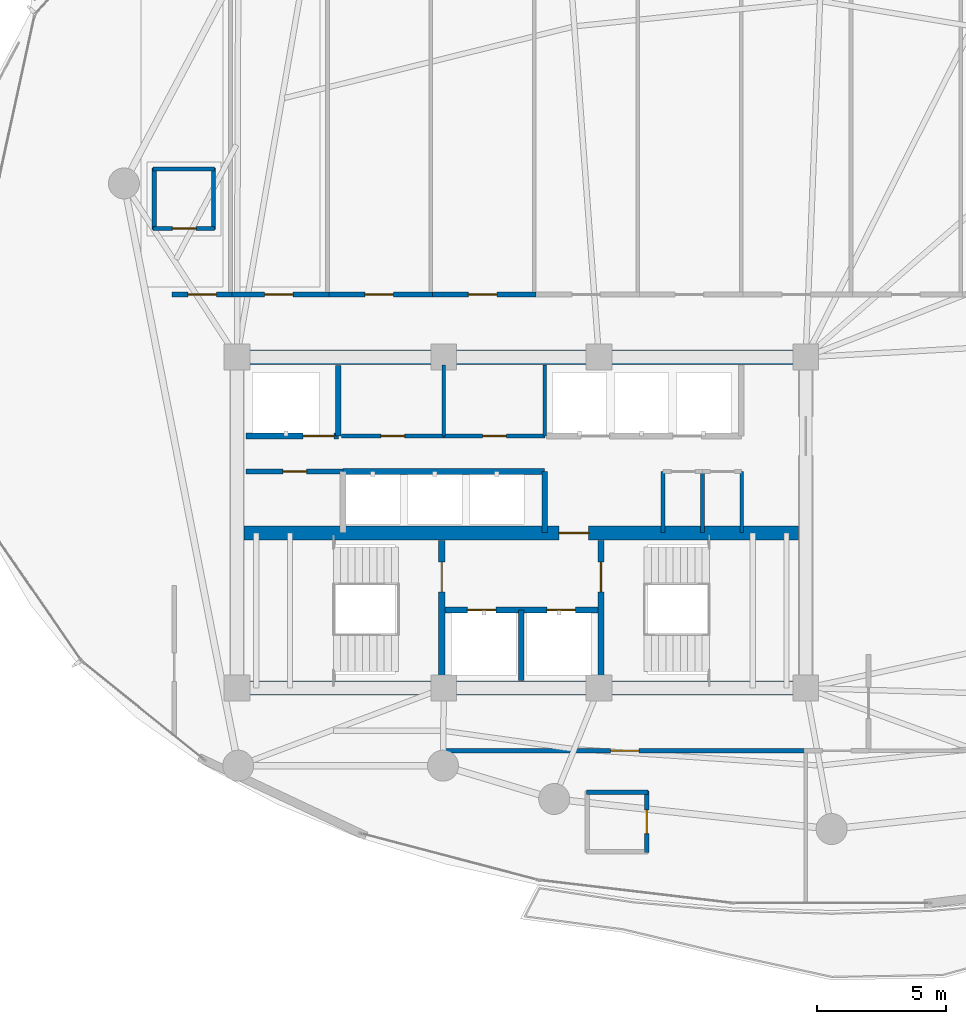
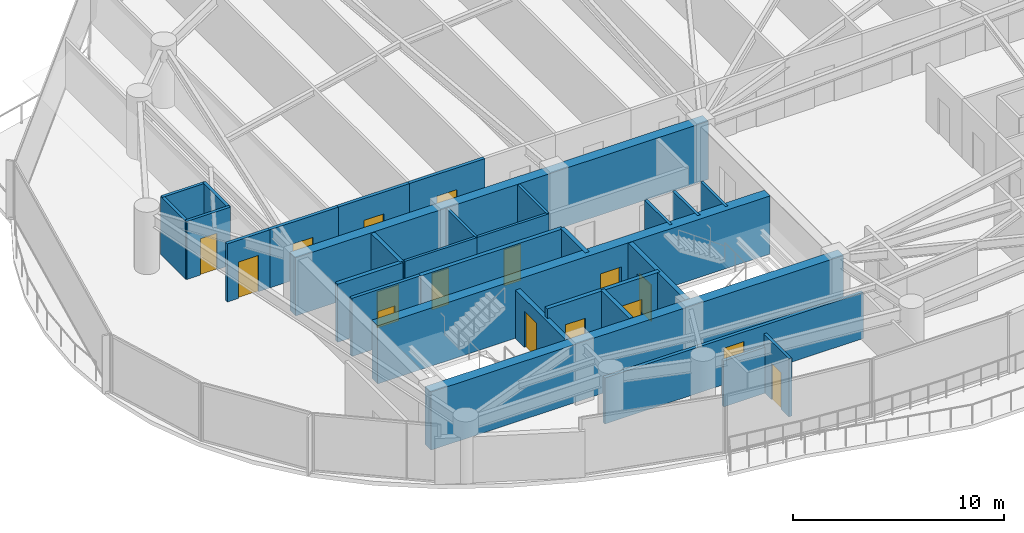
# One storey, part 26 of 34: 30 walls, 16 doors, 16 openings.
"""IFC4 building model written with IfcOpenShell, lengths in metres."""

from ifc_helpers import new_model, si_unit, direction, frame, frame_2d, origin, place, context, subcontext, project, spatial, rectangle, extrude, material, layer, layer_set, type_object, element, fill, save


model = new_model("IFC4")

# Units and contexts
model_context = context("Model", 3, precision=1e-05, world=origin(), true_north=direction((0.0, 1.0)))
body_context = subcontext(model_context, "Body", "Model", "MODEL_VIEW")
ifc_project = project(units=[si_unit("LENGTHUNIT", "METRE"), si_unit("AREAUNIT", "SQUARE_METRE"), si_unit("VOLUMEUNIT", "CUBIC_METRE"), si_unit("PLANEANGLEUNIT", "RADIAN"), si_unit("MASSUNIT", "GRAM", prefix="KILO")], contexts=[model_context])

# Site, building, storey
site_placement = place(None, origin())
site = spatial("IfcSite", under=ifc_project, at=site_placement, CompositionType="ELEMENT")
building_placement = place(site_placement, origin())
building = spatial("IfcBuilding", under=site, at=building_placement, Name="Kazevale Care Tower and Concert Hall", CompositionType="ELEMENT")
storey_placement = place(building_placement, frame((0.0, 0.0, 160.199951171875)))
storey = spatial("IfcBuildingStorey", under=building, at=storey_placement, Name="L42", CompositionType="ELEMENT", Elevation=160.199951171875)

# Wall, opening, door
ifc_material_1 = material(Name="Acoustic Gypsum on Steel Stud", Category="steel")
ifc_layer_1 = layer(ifc_material_1, 0.139892578125)
ifc_layer_set_1 = layer_set([ifc_layer_1], Name="Acoustic Gypsum on Steel Stud")
wall_type_1 = type_object("IfcWallType", Name="Acoustic Care & Suite Partition 140", PredefinedType="PARTITIONING", material=ifc_layer_set_1)
wall_1_placement = place(storey_placement, frame((26.050048828125, 33.35009765625, 0.0), z_axis=(0.0, 0.0, 1.0), x_axis=(1.0, 0.0, 0.0)))
wall_1 = element("IfcWall", 1, at=wall_1_placement, inside=storey, type_object=wall_type_1, Name="wall:L42:c_rpl1_s", PredefinedType="PARTITIONING", context=body_context, shape_type="SweptSolid", body=[
    extrude(rectangle(XDim=3.949951171875, YDim=0.139892578125, at=frame_2d((1.97509765625, 0.0))), origin(), (0.0, 0.0, 1.0), 3.360107421875),
])
opening_1_placement = place(wall_1_placement, frame((1.514892578125, 0.0, 0.0)))
opening_1 = element("IfcOpeningElement", 2, at=opening_1_placement, cuts=wall_1, Name="Opening ID-900", PredefinedType="OPENING", context=body_context, shape_type="SweptSolid", body=[
    extrude(rectangle(XDim=0.919921875, YDim=2.10009765625, at=frame_2d((0.4599609375, 1.050048828125))), frame((0.0, 0.079833984375, 0.0), z_axis=(0.0, -1.0, 0.0), x_axis=(1.0, 0.0, 0.0)), (0.0, 0.0, 1.0), 0.159912109375),
])
ifc_material_2 = material(Name="Oak Timber Fire Leaf", Category="wood")
door_type_1 = type_object("IfcDoorType", Name="Bathroom & Service Door 920x2100", OperationType="NOTDEFINED", PredefinedType="DOOR", material=ifc_material_2)
door_1_placement = place(opening_1_placement, origin())
door_1 = element("IfcDoor", 3, at=door_1_placement, inside=storey, type_object=door_type_1, Name="door:L42:d_rpl1", OperationType="SINGLE_SWING_LEFT", OverallHeight=2.10009765625, OverallWidth=0.919921875, PredefinedType="DOOR", context=body_context, shape_type="SweptSolid", body=[
    extrude(rectangle(XDim=0.919921875, YDim=2.10009765625, at=frame_2d((0.4599609375, 1.050048828125))), frame((0.0, 0.02490234375, 0.0), z_axis=(0.0, -1.0, 0.0), x_axis=(1.0, 0.0, 0.0)), (0.0, 0.0, 1.0), 0.050048828125),
])
fill(opening_1, door_1)

wall_2_placement = place(storey_placement, frame((30.0, 33.35009765625, 0.0), z_axis=(0.0, 0.0, 1.0), x_axis=(1.0, 0.0, 0.0)))
wall_2 = element("IfcWall", 4, at=wall_2_placement, inside=storey, type_object=wall_type_1, Name="wall:L42:c_rpl2_s", PredefinedType="PARTITIONING", context=body_context, shape_type="SweptSolid", body=[
    extrude(rectangle(XDim=3.919921875, YDim=0.139892578125, at=frame_2d((1.9599609375, 0.0))), origin(), (0.0, 0.0, 1.0), 3.360107421875),
])
opening_2_placement = place(wall_2_placement, frame((1.5, 0.0, 0.0)))
opening_2 = element("IfcOpeningElement", 5, at=opening_2_placement, cuts=wall_2, Name="Opening ID-900", PredefinedType="OPENING", context=body_context, shape_type="SweptSolid", body=[
    extrude(rectangle(XDim=0.919921875, YDim=2.10009765625, at=frame_2d((0.4599609375, 1.050048828125))), frame((0.0, 0.079833984375, 0.0), z_axis=(0.0, -1.0, 0.0), x_axis=(1.0, 0.0, 0.0)), (0.0, 0.0, 1.0), 0.159912109375),
])
door_2_placement = place(opening_2_placement, origin())
door_2 = element("IfcDoor", 6, at=door_2_placement, inside=storey, type_object=door_type_1, Name="door:L42:d_rpl2", OperationType="SINGLE_SWING_RIGHT", OverallHeight=2.10009765625, OverallWidth=0.919921875, PredefinedType="DOOR", context=body_context, shape_type="SweptSolid", body=[
    extrude(rectangle(XDim=0.919921875, YDim=2.10009765625, at=frame_2d((0.4599609375, 1.050048828125))), frame((0.0, 0.02490234375, 0.0), z_axis=(0.0, -1.0, 0.0), x_axis=(1.0, 0.0, 0.0)), (0.0, 0.0, 1.0), 0.050048828125),
])
fill(opening_2, door_2)

# Walls
for number, where, z_axis, x_axis, name in (
    (7, (30.0, 33.35009765625, 0.0), (0.0, 0.0, 1.0), (0.0, 1.0, 0.0), "wall:L42:c_rpl_m"),
    (8, (33.89990234375, 33.35009765625, 0.0), (0.0, 0.0, 1.0), (0.0, 1.0, 0.0), "wall:L42:c_rpl_e"),
):
    element("IfcWall", number, at=place(storey_placement, frame(where, z_axis=z_axis, x_axis=x_axis)), inside=storey, type_object=wall_type_1, Name=name, PredefinedType="PARTITIONING", context=body_context, shape_type="SweptSolid", body=[
        extrude(rectangle(XDim=2.75, YDim=0.139892578125, at=frame_2d((1.375, 0.0))), origin(), (0.0, 0.0, 1.0), 3.360107421875),
    ])
wall_3_placement = place(storey_placement, frame((41.52001953125, 29.6201171875, 0.0), z_axis=(0.0, 0.0, 1.0), x_axis=(0.0, 1.0, 0.0)))
element("IfcWall", 9, at=wall_3_placement, inside=storey, type_object=wall_type_1, Name="wall:L42:ka_ee", PredefinedType="PARTITIONING", context=body_context, shape_type="SweptSolid", body=[
    extrude(rectangle(XDim=2.35986328125, YDim=0.139892578125, at=frame_2d((1.179931640625, 0.0))), origin(), (0.0, 0.0, 1.0), 3.360107421875),
])
ifc_material_3 = material(Name="Concrete C60", Category="concrete")
ifc_layer_2 = layer(ifc_material_3, 0.550048828125)
ifc_layer_set_2 = layer_set([ifc_layer_2], Name="Concrete C60")
wall_type_2 = type_object("IfcWallType", Name="Core Shear Wall 550 C60", PredefinedType="SHEAR", material=ifc_layer_set_2)
for number, where, z_axis, x_axis, name in (
    (10, (21.72509765625, 23.60009765625, 0.0), (0.0, 0.0, 1.0), (1.0, 0.0, 0.0), "wall:L42:core:S"),
    (11, (21.72509765625, 36.39990234375, 0.0), (0.0, 0.0, 1.0), (1.0, 0.0, 0.0), "wall:L42:core:N"),
):
    element("IfcWall", number, at=place(storey_placement, frame(where, z_axis=z_axis, x_axis=x_axis)), inside=storey, type_object=wall_type_2, Name=name, PredefinedType="SHEAR", context=body_context, shape_type="SweptSolid", body=[
        extrude(rectangle(XDim=22.5498046875, YDim=0.550048828125, at=frame_2d((11.27490234375, 0.0))), origin(), (0.0, 0.0, 1.0), 3.360107421875),
    ])

# Wall, opening, door
wall_4_placement = place(storey_placement, frame((22.27490234375, 29.60009765625, 0.0), z_axis=(0.0, 0.0, 1.0), x_axis=(1.0, 0.0, 0.0)))
wall_4 = element("IfcWall", 12, at=wall_4_placement, inside=storey, type_object=wall_type_2, Name="wall:L42:core:M", PredefinedType="SHEAR", context=body_context, shape_type="SweptSolid", body=[
    extrude(rectangle(XDim=21.4501953125, YDim=0.550048828125, at=frame_2d((10.72509765625, 0.0))), origin(), (0.0, 0.0, 1.0), 3.360107421875),
])
opening_3_placement = place(wall_4_placement, frame((12.175048828125, 0.0, 0.0)))
opening_3 = element("IfcOpeningElement", 13, at=opening_3_placement, cuts=wall_4, Name="Opening FD-90", PredefinedType="OPENING", context=body_context, shape_type="SweptSolid", body=[
    extrude(rectangle(XDim=1.14990234375, YDim=2.10009765625, at=frame_2d((0.574951171875, 1.050048828125))), frame((0.0, 0.284912109375, 0.0), z_axis=(0.0, -1.0, 0.0), x_axis=(1.0, 0.0, 0.0)), (0.0, 0.0, 1.0), 0.570068359375),
])
ifc_material_4 = material(Name="Steel ASTM A572 Gr 50", Category="steel")
door_type_2 = type_object("IfcDoorType", Name="Pressurized Stair & Lobby Fire Door 1150x2100", OperationType="NOTDEFINED", PredefinedType="DOOR", material=ifc_material_4)
door_3_placement = place(opening_3_placement, origin())
door_3 = element("IfcDoor", 14, at=door_3_placement, inside=storey, type_object=door_type_2, Name="door:L42:ff_to_pax", OperationType="SINGLE_SWING_LEFT", OverallHeight=2.10009765625, OverallWidth=1.14990234375, PredefinedType="DOOR", context=body_context, shape_type="SweptSolid", body=[
    extrude(rectangle(XDim=1.14990234375, YDim=2.10009765625, at=frame_2d((0.574951171875, 1.050048828125))), frame((0.0, 0.02490234375, 0.0), z_axis=(0.0, -1.0, 0.0), x_axis=(1.0, 0.0, 0.0)), (0.0, 0.0, 1.0), 0.050048828125),
])
fill(opening_3, door_3)

# Wall, openings, doors
ifc_material_5 = material(Name="Concrete C40", Category="concrete")
ifc_layer_3 = layer(ifc_material_5, 0.219970703125)
ifc_layer_set_3 = layer_set([ifc_layer_3], Name="Concrete C40")
wall_type_3 = type_object("IfcWallType", Name="Elevator Hoistway Shaft Wall 220", PredefinedType="SOLIDWALL", material=ifc_layer_set_3)
wall_5_placement = place(storey_placement, frame((29.919921875, 26.6201171875, 0.0), z_axis=(0.0, 0.0, 1.0), x_axis=(1.0, 0.0, 0.0)))
wall_5 = element("IfcWall", 15, at=wall_5_placement, inside=storey, type_object=wall_type_3, Name="wall:L42:c_ffl_n", PredefinedType="SOLIDWALL", context=body_context, shape_type="SweptSolid", body=[
    extrude(rectangle(XDim=6.16015625, YDim=0.219970703125, at=frame_2d((3.080078125, 0.0))), origin(), (0.0, 0.0, 1.0), 3.360107421875),
])
opening_4_placement = place(wall_5_placement, frame((0.989990234375, 0.0, 0.0)))
opening_4 = element("IfcOpeningElement", 16, at=opening_4_placement, cuts=wall_5, Name="Opening LD-FF", PredefinedType="OPENING", context=body_context, shape_type="SweptSolid", body=[
    extrude(rectangle(XDim=1.10009765625, YDim=2.10009765625, at=frame_2d((0.550048828125, 1.050048828125))), frame((0.0, 0.119873046875, 0.0), z_axis=(0.0, -1.0, 0.0), x_axis=(1.0, 0.0, 0.0)), (0.0, 0.0, 1.0), 0.239990234375),
])
opening_5_placement = place(wall_5_placement, frame((4.070068359375, 0.0, 0.0)))
opening_5 = element("IfcOpeningElement", 17, at=opening_5_placement, cuts=wall_5, Name="Opening LD-FF", PredefinedType="OPENING", context=body_context, shape_type="SweptSolid", body=[
    extrude(rectangle(XDim=1.10009765625, YDim=2.10009765625, at=frame_2d((0.550048828125, 1.050048828125))), frame((0.0, 0.119873046875, 0.0), z_axis=(0.0, -1.0, 0.0), x_axis=(1.0, 0.0, 0.0)), (0.0, 0.0, 1.0), 0.239990234375),
])
ifc_material_6 = material(Name="Stainless Steel 316", Category="steel")
door_type_3 = type_object("IfcDoorType", Name="Emergency Lift Sliding Landing Door 1100x2100", OperationType="NOTDEFINED", PredefinedType="DOOR", material=ifc_material_6)
door_4_placement = place(opening_4_placement, origin())
door_4 = element("IfcDoor", 18, at=door_4_placement, inside=storey, type_object=door_type_3, Name="door:L42:ld_ffl1", OperationType="SLIDING_TO_LEFT", OverallHeight=2.10009765625, OverallWidth=1.10009765625, PredefinedType="DOOR", context=body_context, shape_type="SweptSolid", body=[
    extrude(rectangle(XDim=1.10009765625, YDim=2.10009765625, at=frame_2d((0.550048828125, 1.050048828125))), frame((0.0, 0.02490234375, 0.0), z_axis=(0.0, -1.0, 0.0), x_axis=(1.0, 0.0, 0.0)), (0.0, 0.0, 1.0), 0.050048828125),
])
fill(opening_4, door_4)
door_5_placement = place(opening_5_placement, origin())
door_5 = element("IfcDoor", 19, at=door_5_placement, inside=storey, type_object=door_type_3, Name="door:L42:ld_ffl2", OperationType="SLIDING_TO_RIGHT", OverallHeight=2.10009765625, OverallWidth=1.10009765625, PredefinedType="DOOR", context=body_context, shape_type="SweptSolid", body=[
    extrude(rectangle(XDim=1.10009765625, YDim=2.10009765625, at=frame_2d((0.550048828125, 1.050048828125))), frame((0.0, 0.02490234375, 0.0), z_axis=(0.0, -1.0, 0.0), x_axis=(1.0, 0.0, 0.0)), (0.0, 0.0, 1.0), 0.050048828125),
])
fill(opening_5, door_5)

# Walls
wall_6_placement = place(storey_placement, frame((33.0, 23.89990234375, 0.0), z_axis=(0.0, 0.0, 1.0), x_axis=(0.0, 1.0, 0.0)))
element("IfcWall", 20, at=wall_6_placement, inside=storey, type_object=wall_type_3, Name="wall:L42:c_ffl_m", PredefinedType="SOLIDWALL", context=body_context, shape_type="SweptSolid", body=[
    extrude(rectangle(XDim=2.72021484375, YDim=0.219970703125, at=frame_2d((1.360107421875, 0.0))), origin(), (0.0, 0.0, 1.0), 3.360107421875),
])
wall_7_placement = place(storey_placement, frame((25.919921875, 33.35009765625, 0.0), z_axis=(0.0, 0.0, 1.0), x_axis=(0.0, 1.0, 0.0)))
element("IfcWall", 21, at=wall_7_placement, inside=storey, type_object=wall_type_3, Name="wall:L42:c_svl_e", PredefinedType="SOLIDWALL", context=body_context, shape_type="SweptSolid", body=[
    extrude(rectangle(XDim=2.72998046875, YDim=0.219970703125, at=frame_2d((1.364990234375, 0.0))), origin(), (0.0, 0.0, 1.0), 3.360107421875),
])

# Wall, opening, door
wall_8_placement = place(storey_placement, frame((22.35009765625, 33.35009765625, 0.0), z_axis=(0.0, 0.0, 1.0), x_axis=(1.0, 0.0, 0.0)))
wall_8 = element("IfcWall", 22, at=wall_8_placement, inside=storey, type_object=wall_type_3, Name="wall:L42:c_svl_s", PredefinedType="SOLIDWALL", context=body_context, shape_type="SweptSolid", body=[
    extrude(rectangle(XDim=3.56982421875, YDim=0.219970703125, at=frame_2d((1.784912109375, 0.0))), origin(), (0.0, 0.0, 1.0), 3.360107421875),
])
opening_6_placement = place(wall_8_placement, frame((2.212890625, 0.0, 0.0)))
opening_6 = element("IfcOpeningElement", 23, at=opening_6_placement, cuts=wall_8, Name="Opening LD-SV", PredefinedType="OPENING", context=body_context, shape_type="SweptSolid", body=[
    extrude(rectangle(XDim=1.199951171875, YDim=2.10009765625, at=frame_2d((0.60009765625, 1.050048828125))), frame((0.0, 0.119873046875, 0.0), z_axis=(0.0, -1.0, 0.0), x_axis=(1.0, 0.0, 0.0)), (0.0, 0.0, 1.0), 0.239990234375),
])
door_type_4 = type_object("IfcDoorType", Name="Service Lift Sliding Landing Door 1200x2100", OperationType="NOTDEFINED", PredefinedType="DOOR", material=ifc_material_6)
door_6_placement = place(opening_6_placement, origin())
door_6 = element("IfcDoor", 24, at=door_6_placement, inside=storey, type_object=door_type_4, Name="door:L42:ld_svl1", OperationType="SLIDING_TO_LEFT", OverallHeight=2.10009765625, OverallWidth=1.199951171875, PredefinedType="DOOR", context=body_context, shape_type="SweptSolid", body=[
    extrude(rectangle(XDim=1.199951171875, YDim=2.10009765625, at=frame_2d((0.60009765625, 1.050048828125))), frame((0.0, 0.02490234375, 0.0), z_axis=(0.0, -1.0, 0.0), x_axis=(1.0, 0.0, 0.0)), (0.0, 0.0, 1.0), 0.050048828125),
])
fill(opening_6, door_6)

# Walls
wall_9_placement = place(storey_placement, frame((26.10009765625, 31.97998046875, 0.0), z_axis=(0.0, 0.0, 1.0), x_axis=(1.0, 0.0, 0.0)))
element("IfcWall", 25, at=wall_9_placement, inside=storey, type_object=wall_type_3, Name="wall:L42:c_ph_n", PredefinedType="SOLIDWALL", context=body_context, shape_type="SweptSolid", body=[
    extrude(rectangle(XDim=7.7998046875, YDim=0.219970703125, at=frame_2d((3.89990234375, 0.0))), origin(), (0.0, 0.0, 1.0), 3.360107421875),
])
wall_10_placement = place(storey_placement, frame((33.89990234375, 29.6201171875, 0.0), z_axis=(0.0, 0.0, 1.0), x_axis=(0.0, 1.0, 0.0)))
element("IfcWall", 26, at=wall_10_placement, inside=storey, type_object=wall_type_3, Name="wall:L42:c_ph_e", PredefinedType="SOLIDWALL", context=body_context, shape_type="SweptSolid", body=[
    extrude(rectangle(XDim=2.35986328125, YDim=0.219970703125, at=frame_2d((1.179931640625, 0.0))), origin(), (0.0, 0.0, 1.0), 3.360107421875),
])

# Wall, opening, door
ifc_material_7 = material(Name="Concrete C40 and Acoustic Gypsum", Category="concrete")
ifc_layer_4 = layer(ifc_material_7, 0.179931640625)
ifc_layer_set_4 = layer_set([ifc_layer_4], Name="Concrete C40 and Acoustic Gypsum")
wall_type_4 = type_object("IfcWallType", Name="Fire-Rated Corridor & Party Wall 180", PredefinedType="PARTITIONING", material=ifc_layer_set_4)
wall_11_placement = place(storey_placement, frame((22.35009765625, 31.97998046875, 0.0), z_axis=(0.0, 0.0, 1.0), x_axis=(1.0, 0.0, 0.0)))
wall_11 = element("IfcWall", 27, at=wall_11_placement, inside=storey, type_object=wall_type_4, Name="wall:L42:ka_wn1", PredefinedType="PARTITIONING", context=body_context, shape_type="SweptSolid", body=[
    extrude(rectangle(XDim=3.75, YDim=0.179931640625, at=frame_2d((1.875, 0.0))), origin(), (0.0, 0.0, 1.0), 3.360107421875),
])
opening_7_placement = place(wall_11_placement, frame((1.425048828125, 0.0, 0.0)))
opening_7 = element("IfcOpeningElement", 28, at=opening_7_placement, cuts=wall_11, Name="Opening ID-900", PredefinedType="OPENING", context=body_context, shape_type="SweptSolid", body=[
    extrude(rectangle(XDim=0.919921875, YDim=2.10009765625, at=frame_2d((0.4599609375, 1.050048828125))), frame((0.0, 0.099853515625, 0.0), z_axis=(0.0, -1.0, 0.0), x_axis=(1.0, 0.0, 0.0)), (0.0, 0.0, 1.0), 0.199951171875),
])
door_7_placement = place(opening_7_placement, origin())
door_7 = element("IfcDoor", 29, at=door_7_placement, inside=storey, type_object=door_type_1, Name="door:L42:d_kaw", OperationType="SINGLE_SWING_LEFT", OverallHeight=2.10009765625, OverallWidth=0.919921875, PredefinedType="DOOR", context=body_context, shape_type="SweptSolid", body=[
    extrude(rectangle(XDim=0.919921875, YDim=2.10009765625, at=frame_2d((0.4599609375, 1.050048828125))), frame((0.0, 0.02490234375, 0.0), z_axis=(0.0, -1.0, 0.0), x_axis=(1.0, 0.0, 0.0)), (0.0, 0.0, 1.0), 0.050048828125),
])
fill(opening_7, door_7)

wall_12_placement = place(storey_placement, frame((19.4951171875, 38.824951171875, 0.0), z_axis=(0.0, 0.0, 1.0), x_axis=(1.0, 0.0, 0.0)))
wall_12 = element("IfcWall", 30, at=wall_12_placement, inside=storey, type_object=wall_type_4, Name="wall:L42:auto_001", PredefinedType="PARTITIONING", context=body_context, shape_type="SweptSolid", body=[
    extrude(rectangle(XDim=2.31982421875, YDim=0.179931640625, at=frame_2d((1.159912109375, 0.0))), origin(), (0.0, 0.0, 1.0), 3.360107421875),
])
opening_8_placement = place(wall_12_placement, frame((0.610107421875, 0.0, 0.0)))
opening_8 = element("IfcOpeningElement", 31, at=opening_8_placement, cuts=wall_12, Name="Opening ID-1100", PredefinedType="OPENING", context=body_context, shape_type="SweptSolid", body=[
    extrude(rectangle(XDim=1.10009765625, YDim=2.10009765625, at=frame_2d((0.550048828125, 1.050048828125))), frame((0.0, 0.099853515625, 0.0), z_axis=(0.0, -1.0, 0.0), x_axis=(1.0, 0.0, 0.0)), (0.0, 0.0, 1.0), 0.199951171875),
])
door_type_5 = type_object("IfcDoorType", Name="Care Bedroom Accessible Door 1100x2100", OperationType="NOTDEFINED", PredefinedType="DOOR", material=ifc_material_2)
door_8_placement = place(opening_8_placement, origin())
door_8 = element("IfcDoor", 32, at=door_8_placement, inside=storey, type_object=door_type_5, Name="door:L42:ad_001", OperationType="SINGLE_SWING_LEFT", OverallHeight=2.10009765625, OverallWidth=1.10009765625, PredefinedType="DOOR", context=body_context, shape_type="SweptSolid", body=[
    extrude(rectangle(XDim=1.10009765625, YDim=2.10009765625, at=frame_2d((0.550048828125, 1.050048828125))), frame((0.0, 0.02490234375, 0.0), z_axis=(0.0, -1.0, 0.0), x_axis=(1.0, 0.0, 0.0)), (0.0, 0.0, 1.0), 0.050048828125),
])
fill(opening_8, door_8)

wall_13_placement = place(storey_placement, frame((21.68505859375, 38.824951171875, 0.0), z_axis=(0.0, 0.0, 1.0), x_axis=(1.0, 0.0, 0.0)))
wall_13 = element("IfcWall", 33, at=wall_13_placement, inside=storey, type_object=wall_type_4, Name="wall:L42:auto_002", PredefinedType="PARTITIONING", context=body_context, shape_type="SweptSolid", body=[
    extrude(rectangle(XDim=3.8798828125, YDim=0.179931640625, at=frame_2d((1.93994140625, 0.0))), origin(), (0.0, 0.0, 1.0), 3.360107421875),
])
opening_9_placement = place(wall_13_placement, frame((1.389892578125, 0.0, 0.0)))
opening_9 = element("IfcOpeningElement", 34, at=opening_9_placement, cuts=wall_13, Name="Opening ID-1100", PredefinedType="OPENING", context=body_context, shape_type="SweptSolid", body=[
    extrude(rectangle(XDim=1.10009765625, YDim=2.10009765625, at=frame_2d((0.550048828125, 1.050048828125))), frame((0.0, 0.099853515625, 0.0), z_axis=(0.0, -1.0, 0.0), x_axis=(1.0, 0.0, 0.0)), (0.0, 0.0, 1.0), 0.199951171875),
])
door_9_placement = place(opening_9_placement, origin())
door_9 = element("IfcDoor", 35, at=door_9_placement, inside=storey, type_object=door_type_5, Name="door:L42:ad_002", OperationType="SINGLE_SWING_LEFT", OverallHeight=2.10009765625, OverallWidth=1.10009765625, PredefinedType="DOOR", context=body_context, shape_type="SweptSolid", body=[
    extrude(rectangle(XDim=1.10009765625, YDim=2.10009765625, at=frame_2d((0.550048828125, 1.050048828125))), frame((0.0, 0.02490234375, 0.0), z_axis=(0.0, -1.0, 0.0), x_axis=(1.0, 0.0, 0.0)), (0.0, 0.0, 1.0), 0.050048828125),
])
fill(opening_9, door_9)

wall_14_placement = place(storey_placement, frame((25.43505859375, 38.824951171875, 0.0), z_axis=(0.0, 0.0, 1.0), x_axis=(1.0, 0.0, 0.0)))
wall_14 = element("IfcWall", 36, at=wall_14_placement, inside=storey, type_object=wall_type_4, Name="wall:L42:auto_003", PredefinedType="PARTITIONING", context=body_context, shape_type="SweptSolid", body=[
    extrude(rectangle(XDim=4.1298828125, YDim=0.179931640625, at=frame_2d((2.06494140625, 0.0))), origin(), (0.0, 0.0, 1.0), 3.360107421875),
])
opening_10_placement = place(wall_14_placement, frame((1.514892578125, 0.0, 0.0)))
opening_10 = element("IfcOpeningElement", 37, at=opening_10_placement, cuts=wall_14, Name="Opening ID-1100", PredefinedType="OPENING", context=body_context, shape_type="SweptSolid", body=[
    extrude(rectangle(XDim=1.10009765625, YDim=2.10009765625, at=frame_2d((0.550048828125, 1.050048828125))), frame((0.0, 0.099853515625, 0.0), z_axis=(0.0, -1.0, 0.0), x_axis=(1.0, 0.0, 0.0)), (0.0, 0.0, 1.0), 0.199951171875),
])
door_10_placement = place(opening_10_placement, origin())
door_10 = element("IfcDoor", 38, at=door_10_placement, inside=storey, type_object=door_type_5, Name="door:L42:ad_003", OperationType="SINGLE_SWING_LEFT", OverallHeight=2.10009765625, OverallWidth=1.10009765625, PredefinedType="DOOR", context=body_context, shape_type="SweptSolid", body=[
    extrude(rectangle(XDim=1.10009765625, YDim=2.10009765625, at=frame_2d((0.550048828125, 1.050048828125))), frame((0.0, 0.02490234375, 0.0), z_axis=(0.0, -1.0, 0.0), x_axis=(1.0, 0.0, 0.0)), (0.0, 0.0, 1.0), 0.050048828125),
])
fill(opening_10, door_10)

wall_15_placement = place(storey_placement, frame((29.43505859375, 38.824951171875, 0.0), z_axis=(0.0, 0.0, 1.0), x_axis=(1.0, 0.0, 0.0)))
wall_15 = element("IfcWall", 39, at=wall_15_placement, inside=storey, type_object=wall_type_4, Name="wall:L42:auto_004", PredefinedType="PARTITIONING", context=body_context, shape_type="SweptSolid", body=[
    extrude(rectangle(XDim=4.1298828125, YDim=0.179931640625, at=frame_2d((2.06494140625, 0.0))), origin(), (0.0, 0.0, 1.0), 3.360107421875),
])
opening_11_placement = place(wall_15_placement, frame((1.514892578125, 0.0, 0.0)))
opening_11 = element("IfcOpeningElement", 40, at=opening_11_placement, cuts=wall_15, Name="Opening ID-1100", PredefinedType="OPENING", context=body_context, shape_type="SweptSolid", body=[
    extrude(rectangle(XDim=1.10009765625, YDim=2.10009765625, at=frame_2d((0.550048828125, 1.050048828125))), frame((0.0, 0.099853515625, 0.0), z_axis=(0.0, -1.0, 0.0), x_axis=(1.0, 0.0, 0.0)), (0.0, 0.0, 1.0), 0.199951171875),
])
door_11_placement = place(opening_11_placement, origin())
door_11 = element("IfcDoor", 41, at=door_11_placement, inside=storey, type_object=door_type_5, Name="door:L42:ad_004", OperationType="SINGLE_SWING_LEFT", OverallHeight=2.10009765625, OverallWidth=1.10009765625, PredefinedType="DOOR", context=body_context, shape_type="SweptSolid", body=[
    extrude(rectangle(XDim=1.10009765625, YDim=2.10009765625, at=frame_2d((0.550048828125, 1.050048828125))), frame((0.0, 0.02490234375, 0.0), z_axis=(0.0, -1.0, 0.0), x_axis=(1.0, 0.0, 0.0)), (0.0, 0.0, 1.0), 0.050048828125),
])
fill(opening_11, door_11)

wall_16_placement = place(storey_placement, frame((44.06494140625, 21.175048828125, 0.0), z_axis=(0.0, 0.0, 1.0), x_axis=(-1.0, 0.0, 0.0)))
wall_16 = element("IfcWall", 42, at=wall_16_placement, inside=storey, type_object=wall_type_4, Name="wall:L42:auto_021", PredefinedType="PARTITIONING", context=body_context, shape_type="SweptSolid", body=[
    extrude(rectangle(XDim=14.1298828125, YDim=0.179931640625, at=frame_2d((7.06494140625, 0.0))), origin(), (0.0, 0.0, 1.0), 2.656982421875),
])
opening_12_placement = place(wall_16_placement, frame((6.514892578125, 0.0, 0.0)))
opening_12 = element("IfcOpeningElement", 43, at=opening_12_placement, cuts=wall_16, Name="Opening ID-1100", PredefinedType="OPENING", context=body_context, shape_type="SweptSolid", body=[
    extrude(rectangle(XDim=1.10009765625, YDim=2.10009765625, at=frame_2d((0.550048828125, 1.050048828125))), frame((0.0, 0.099853515625, 0.0), z_axis=(0.0, -1.0, 0.0), x_axis=(1.0, 0.0, 0.0)), (0.0, 0.0, 1.0), 0.199951171875),
])
door_12_placement = place(opening_12_placement, origin())
door_12 = element("IfcDoor", 44, at=door_12_placement, inside=storey, type_object=door_type_5, Name="door:L42:ad_021", OperationType="SINGLE_SWING_LEFT", OverallHeight=2.10009765625, OverallWidth=1.10009765625, PredefinedType="DOOR", context=body_context, shape_type="SweptSolid", body=[
    extrude(rectangle(XDim=1.10009765625, YDim=2.10009765625, at=frame_2d((0.550048828125, 1.050048828125))), frame((0.0, 0.02490234375, 0.0), z_axis=(0.0, -1.0, 0.0), x_axis=(1.0, 0.0, 0.0)), (0.0, 0.0, 1.0), 0.050048828125),
])
fill(opening_12, door_12)

# Walls
ifc_layer_5 = layer(ifc_material_1, 0.159912109375)
ifc_layer_set_5 = layer_set([ifc_layer_5], Name="Acoustic Gypsum on Steel Stud")
wall_type_5 = type_object("IfcWallType", Name="Moisture-Resistant Bathroom Plumbing Wall 160", PredefinedType="PLUMBINGWALL", material=ifc_layer_set_5)
for number, where, z_axis, x_axis, name in (
    (45, (38.47998046875, 29.6201171875, 0.0), (0.0, 0.0, 1.0), (0.0, 1.0, 0.0), "wall:L42:ka_ew"),
    (46, (40.0, 29.6201171875, 0.0), (0.0, 0.0, 1.0), (0.0, 1.0, 0.0), "wall:L42:ka_em"),
):
    element("IfcWall", number, at=place(storey_placement, frame(where, z_axis=z_axis, x_axis=x_axis)), inside=storey, type_object=wall_type_5, Name=name, PredefinedType="PLUMBINGWALL", context=body_context, shape_type="SweptSolid", body=[
        extrude(rectangle(XDim=2.35986328125, YDim=0.159912109375, at=frame_2d((1.179931640625, 0.0))), origin(), (0.0, 0.0, 1.0), 3.360107421875),
    ])

# Wall, opening, door
wall_17_placement = place(storey_placement, frame((18.760009765625, 41.375, 0.0), z_axis=(0.0, 0.0, 1.0), x_axis=(1.0, 0.0, 0.0)))
wall_17 = element("IfcWall", 47, at=wall_17_placement, inside=storey, type_object=wall_type_5, Name="wall:L42:nb2a_ens_ws", PredefinedType="PLUMBINGWALL", context=body_context, shape_type="SweptSolid", body=[
    extrude(rectangle(XDim=2.3798828125, YDim=0.159912109375, at=frame_2d((1.18994140625, 0.0))), origin(), (0.0, 0.0, 1.0), 3.360107421875),
])
opening_13_placement = place(wall_17_placement, frame((0.739990234375, 0.0, 0.0)))
opening_13 = element("IfcOpeningElement", 48, at=opening_13_placement, cuts=wall_17, Name="Opening ID-900", PredefinedType="OPENING", context=body_context, shape_type="SweptSolid", body=[
    extrude(rectangle(XDim=0.919921875, YDim=2.10009765625, at=frame_2d((0.4599609375, 1.050048828125))), frame((0.0, 0.08984375, 0.0), z_axis=(0.0, -1.0, 0.0), x_axis=(1.0, 0.0, 0.0)), (0.0, 0.0, 1.0), 0.179931640625),
])
door_13_placement = place(opening_13_placement, origin())
door_13 = element("IfcDoor", 49, at=door_13_placement, inside=storey, type_object=door_type_1, Name="door:L42:nb2a_ens_d", OperationType="SINGLE_SWING_LEFT", OverallHeight=2.10009765625, OverallWidth=0.919921875, PredefinedType="DOOR", context=body_context, shape_type="SweptSolid", body=[
    extrude(rectangle(XDim=0.919921875, YDim=2.10009765625, at=frame_2d((0.4599609375, 1.050048828125))), frame((0.0, 0.02490234375, 0.0), z_axis=(0.0, -1.0, 0.0), x_axis=(1.0, 0.0, 0.0)), (0.0, 0.0, 1.0), 0.050048828125),
])
fill(opening_13, door_13)

# Walls
wall_18_placement = place(storey_placement, frame((18.760009765625, 43.675048828125, 0.0), z_axis=(0.0, 0.0, 1.0), x_axis=(1.0, 0.0, 0.0)))
element("IfcWall", 50, at=wall_18_placement, inside=storey, type_object=wall_type_5, Name="wall:L42:nb2a_ens_wn", PredefinedType="PLUMBINGWALL", context=body_context, shape_type="SweptSolid", body=[
    extrude(rectangle(XDim=2.3798828125, YDim=0.159912109375, at=frame_2d((1.18994140625, 0.0))), origin(), (0.0, 0.0, 1.0), 3.360107421875),
])
for number, where, z_axis, x_axis, name in (
    (51, (18.800048828125, 41.3349609375, 0.0), (0.0, 0.0, 1.0), (0.0, 1.0, 0.0), "wall:L42:nb2a_ens_ww"),
    (52, (21.10009765625, 41.3349609375, 0.0), (0.0, 0.0, 1.0), (0.0, 1.0, 0.0), "wall:L42:nb2a_ens_we"),
):
    element("IfcWall", number, at=place(storey_placement, frame(where, z_axis=z_axis, x_axis=x_axis)), inside=storey, type_object=wall_type_5, Name=name, PredefinedType="PLUMBINGWALL", context=body_context, shape_type="SweptSolid", body=[
        extrude(rectangle(XDim=2.380126953125, YDim=0.159912109375, at=frame_2d((1.18994140625, 0.0))), origin(), (0.0, 0.0, 1.0), 3.360107421875),
    ])
wall_19_placement = place(storey_placement, frame((35.510009765625, 19.573974609375, 0.0), z_axis=(0.0, 0.0, 1.0), x_axis=(1.0, 0.0, 0.0)))
element("IfcWall", 53, at=wall_19_placement, inside=storey, type_object=wall_type_5, Name="wall:L42:sb2_ens_wn", PredefinedType="PLUMBINGWALL", context=body_context, shape_type="SweptSolid", body=[
    extrude(rectangle(XDim=2.3798828125, YDim=0.159912109375, at=frame_2d((1.18994140625, 0.0))), origin(), (0.0, 0.0, 1.0), 2.656982421875),
])

# Wall, opening, door
wall_20_placement = place(storey_placement, frame((37.85009765625, 17.23388671875, 0.0), z_axis=(0.0, 0.0, 1.0), x_axis=(0.0, 1.0, 0.0)))
wall_20 = element("IfcWall", 54, at=wall_20_placement, inside=storey, type_object=wall_type_5, Name="wall:L42:sb2_ens_we", PredefinedType="PLUMBINGWALL", context=body_context, shape_type="SweptSolid", body=[
    extrude(rectangle(XDim=2.380126953125, YDim=0.159912109375, at=frame_2d((1.18994140625, 0.0))), origin(), (0.0, 0.0, 1.0), 3.360107421875),
])
opening_14_placement = place(wall_20_placement, frame((0.739990234375, 0.0, 0.0)))
opening_14 = element("IfcOpeningElement", 55, at=opening_14_placement, cuts=wall_20, Name="Opening ID-900", PredefinedType="OPENING", context=body_context, shape_type="SweptSolid", body=[
    extrude(rectangle(XDim=0.919921875, YDim=2.10009765625, at=frame_2d((0.4599609375, 1.050048828125))), frame((0.0, 0.08984375, 0.0), z_axis=(0.0, -1.0, 0.0), x_axis=(1.0, 0.0, 0.0)), (0.0, 0.0, 1.0), 0.179931640625),
])
door_14_placement = place(opening_14_placement, origin())
door_14 = element("IfcDoor", 56, at=door_14_placement, inside=storey, type_object=door_type_1, Name="door:L42:sb2_ens_d", OperationType="SINGLE_SWING_LEFT", OverallHeight=2.10009765625, OverallWidth=0.919921875, PredefinedType="DOOR", context=body_context, shape_type="SweptSolid", body=[
    extrude(rectangle(XDim=0.919921875, YDim=2.10009765625, at=frame_2d((0.4599609375, 1.050048828125))), frame((0.0, 0.02490234375, 0.0), z_axis=(0.0, -1.0, 0.0), x_axis=(1.0, 0.0, 0.0)), (0.0, 0.0, 1.0), 0.050048828125),
])
fill(opening_14, door_14)

ifc_layer_6 = layer(ifc_material_5, 0.25)
ifc_layer_set_6 = layer_set([ifc_layer_6], Name="Concrete C40")
wall_type_6 = type_object("IfcWallType", Name="Pressurized Stair Shaft Wall 250", PredefinedType="SOLIDWALL", material=ifc_layer_set_6)
wall_21_placement = place(storey_placement, frame((29.919921875, 23.89990234375, 0.0), z_axis=(0.0, 0.0, 1.0), x_axis=(0.0, 1.0, 0.0)))
wall_21 = element("IfcWall", 57, at=wall_21_placement, inside=storey, type_object=wall_type_6, Name="wall:L42:c_st1_e", PredefinedType="SOLIDWALL", context=body_context, shape_type="SweptSolid", body=[
    extrude(rectangle(XDim=5.400146484375, YDim=0.25, at=frame_2d((2.7001953125, 0.0))), origin(), (0.0, 0.0, 1.0), 2.80615234375),
])
opening_15_placement = place(wall_21_placement, frame((3.4208984375, 0.0, 0.0)))
opening_15 = element("IfcOpeningElement", 58, at=opening_15_placement, cuts=wall_21, Name="Opening FD-90", PredefinedType="OPENING", context=body_context, shape_type="SweptSolid", body=[
    extrude(rectangle(XDim=1.14990234375, YDim=2.10009765625, at=frame_2d((0.574951171875, 1.050048828125))), frame((0.0, 0.135009765625, 0.0), z_axis=(0.0, -1.0, 0.0), x_axis=(1.0, 0.0, 0.0)), (0.0, 0.0, 1.0), 0.27001953125),
])
door_15_placement = place(opening_15_placement, origin())
door_15 = element("IfcDoor", 59, at=door_15_placement, inside=storey, type_object=door_type_2, Name="door:L42:st1", OperationType="SINGLE_SWING_RIGHT", OverallHeight=2.10009765625, OverallWidth=1.14990234375, PredefinedType="DOOR", context=body_context, shape_type="SweptSolid", body=[
    extrude(rectangle(XDim=1.14990234375, YDim=2.10009765625, at=frame_2d((0.574951171875, 1.050048828125))), frame((0.0, 0.02490234375, 0.0), z_axis=(0.0, -1.0, 0.0), x_axis=(1.0, 0.0, 0.0)), (0.0, 0.0, 1.0), 0.050048828125),
])
fill(opening_15, door_15)

wall_22_placement = place(storey_placement, frame((36.080078125, 23.89990234375, 0.0), z_axis=(0.0, 0.0, 1.0), x_axis=(0.0, 1.0, 0.0)))
wall_22 = element("IfcWall", 60, at=wall_22_placement, inside=storey, type_object=wall_type_6, Name="wall:L42:c_st2_w", PredefinedType="SOLIDWALL", context=body_context, shape_type="SweptSolid", body=[
    extrude(rectangle(XDim=5.400146484375, YDim=0.25, at=frame_2d((2.7001953125, 0.0))), origin(), (0.0, 0.0, 1.0), 3.360107421875),
])
opening_16_placement = place(wall_22_placement, frame((3.4208984375, 0.0, 0.0)))
opening_16 = element("IfcOpeningElement", 61, at=opening_16_placement, cuts=wall_22, Name="Opening FD-90", PredefinedType="OPENING", context=body_context, shape_type="SweptSolid", body=[
    extrude(rectangle(XDim=1.14990234375, YDim=2.10009765625, at=frame_2d((0.574951171875, 1.050048828125))), frame((0.0, 0.135009765625, 0.0), z_axis=(0.0, -1.0, 0.0), x_axis=(1.0, 0.0, 0.0)), (0.0, 0.0, 1.0), 0.27001953125),
])
door_16_placement = place(opening_16_placement, origin())
door_16 = element("IfcDoor", 62, at=door_16_placement, inside=storey, type_object=door_type_2, Name="door:L42:st2", OperationType="SINGLE_SWING_LEFT", OverallHeight=2.10009765625, OverallWidth=1.14990234375, PredefinedType="DOOR", context=body_context, shape_type="SweptSolid", body=[
    extrude(rectangle(XDim=1.14990234375, YDim=2.10009765625, at=frame_2d((0.574951171875, 1.050048828125))), frame((0.0, 0.02490234375, 0.0), z_axis=(0.0, -1.0, 0.0), x_axis=(1.0, 0.0, 0.0)), (0.0, 0.0, 1.0), 0.050048828125),
])
fill(opening_16, door_16)

save(model, "model.ifc")
